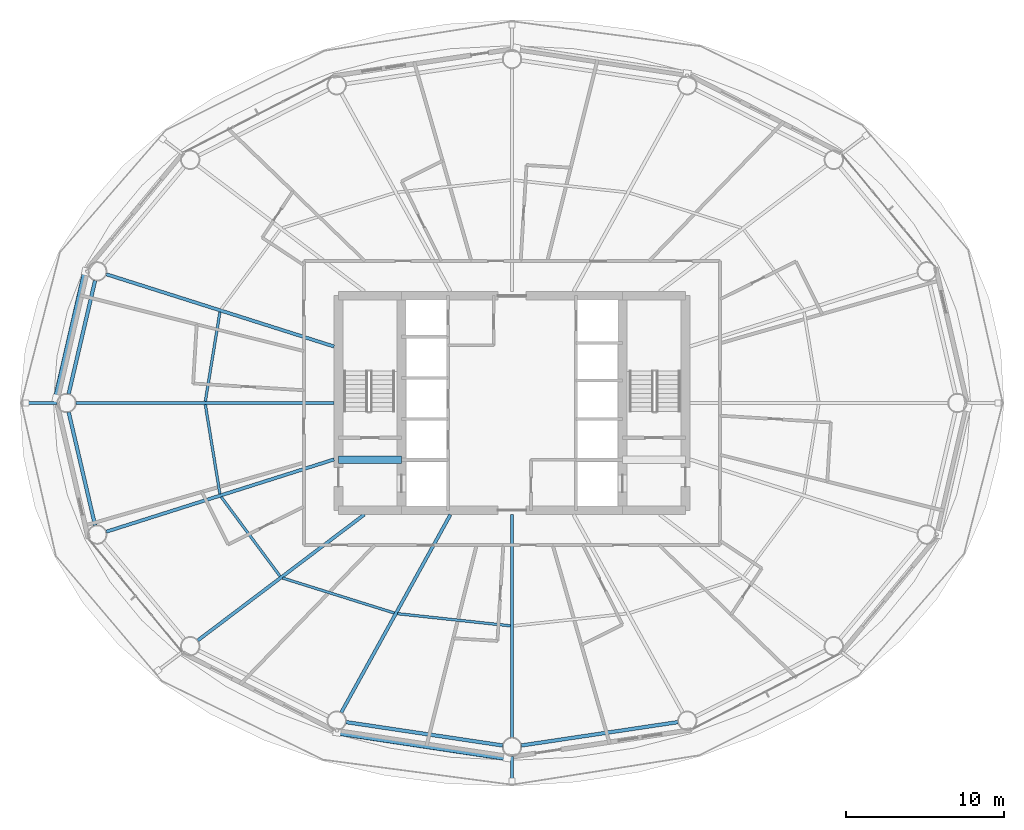
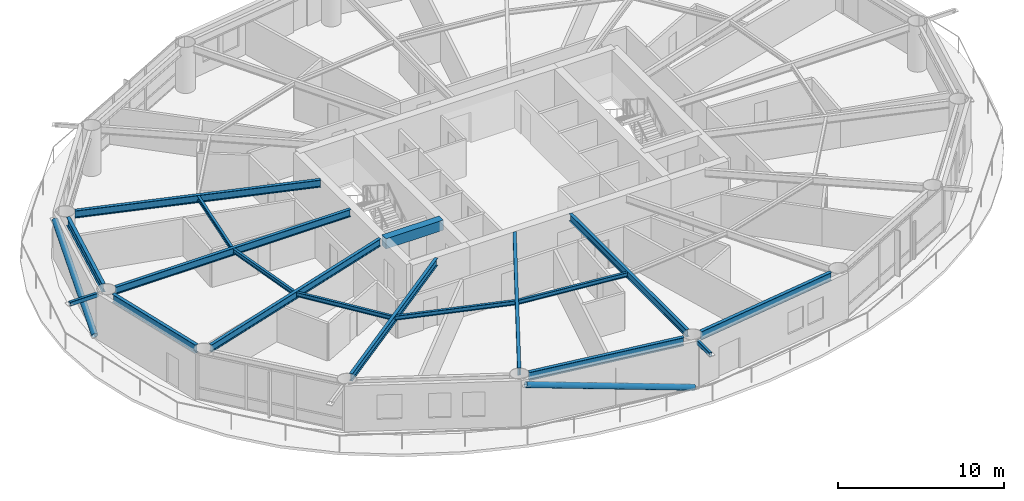
# One storey, part 3 of 24: 16 beams, 4 members.
"""IFC4 building model written with IfcOpenShell, lengths in metres."""

from ifc_helpers import new_model, si_unit, direction, frame, origin, origin_2d, place, context, subcontext, project, spatial, rectangle, hollow_rectangle, hollow_circle, i_section, extrude, material, material_profile, profile_set, type_object, element, save


model = new_model("IFC4")

# Units and contexts
model_context = context("Model", 3, precision=1e-05, world=origin(), true_north=direction((0.0, 1.0)))
body_context = subcontext(model_context, "Body", "Model", "MODEL_VIEW")
ifc_project = project(units=[si_unit("LENGTHUNIT", "METRE"), si_unit("AREAUNIT", "SQUARE_METRE"), si_unit("VOLUMEUNIT", "CUBIC_METRE"), si_unit("PLANEANGLEUNIT", "RADIAN"), si_unit("MASSUNIT", "GRAM", prefix="KILO")], contexts=[model_context])

# Site, building, storey
site_placement = place(None, origin())
site = spatial("IfcSite", under=ifc_project, at=site_placement, CompositionType="ELEMENT")
building_placement = place(site_placement, origin())
building = spatial("IfcBuilding", under=site, at=building_placement, Name="Sarneth Arch Tower", CompositionType="ELEMENT")
storey_placement = place(building_placement, frame((0.0, 0.0, 102.0)))
storey = spatial("IfcBuildingStorey", under=building, at=storey_placement, Name="L25", CompositionType="ELEMENT", Elevation=102.0)

# Beams
ifc_material_1 = material(Name="Steel S355", Category="steel")
ifc_material_profile_1 = material_profile(ifc_material_1, i_section(OverallWidth=0.1669921875, OverallDepth=0.31689453125, WebThickness=0.007568359375, FlangeThickness=0.01318359375, FilletRadius=0.012939453125, at=origin_2d()), Name="W310x52")
ifc_profile_set_1 = profile_set([ifc_material_profile_1], Name="Steel S355")
beam_type_1 = type_object("IfcBeamType", Name="BM-JOIST-310B", PredefinedType="JOIST", material=ifc_profile_set_1)
for number, where, z_axis, x_axis, name in (
    (1, (29.48583984375, 47.76513671875, 3.221435546875), (-0.16118181609, -0.986924729735, 0.0), (0.986924729735, -0.16118181609, 0.0), "L25 Secondary floor joist 08"),
    (2, (28.561279296875, 41.89599609375, 3.221435546875), (0.16118181609, -0.986924729735, 0.0), (0.986924729735, 0.16118181609, 0.0), "L25 Secondary floor joist 09"),
):
    element("IfcBeam", number, at=place(storey_placement, frame(where, z_axis=z_axis, x_axis=x_axis)), inside=storey, type_object=beam_type_1, Name=name, PredefinedType="JOIST", context=body_context, shape_type="SweptSolid", body=[
        extrude(i_section(OverallWidth=0.1669921875, OverallDepth=0.31689453125, WebThickness=0.007568359375, FlangeThickness=0.01318359375, FilletRadius=0.012939453125, at=origin_2d()), origin(), (0.0, 0.0, 1.0), 5.736083984375),
    ])
beam_1_placement = place(storey_placement, frame((29.565673828125, 36.0458984375, 3.221435546875), z_axis=(0.596098474255, -0.802911333206, 0.0), x_axis=(0.802911333206, 0.596098474255, 0.0)))
element("IfcBeam", 3, at=beam_1_placement, inside=storey, type_object=beam_type_1, Name="L25 Secondary floor joist 10", PredefinedType="JOIST", context=body_context, shape_type="SweptSolid", body=[
    extrude(i_section(OverallWidth=0.1669921875, OverallDepth=0.31689453125, WebThickness=0.007568359375, FlangeThickness=0.01318359375, FilletRadius=0.012939453125, at=origin_2d()), origin(), (0.0, 0.0, 1.0), 6.259033203125),
])
beam_2_placement = place(storey_placement, frame((33.460205078125, 30.904296875, 3.221435546875), z_axis=(0.954245982384, -0.299022750146, 0.0), x_axis=(0.299022750146, 0.954245982384, 0.0)))
element("IfcBeam", 4, at=beam_2_placement, inside=storey, type_object=beam_type_1, Name="L25 Secondary floor joist 11", PredefinedType="JOIST", context=body_context, shape_type="SweptSolid", body=[
    extrude(i_section(OverallWidth=0.1669921875, OverallDepth=0.31689453125, WebThickness=0.007568359375, FlangeThickness=0.01318359375, FilletRadius=0.012939453125, at=origin_2d()), origin(), (0.0, 0.0, 1.0), 7.416748046875),
])
beam_3_placement = place(storey_placement, frame((40.7431640625, 28.6435546875, 3.221435546875), z_axis=(0.994257420028, -0.107014871487, 0.0), x_axis=(0.107014871487, 0.994257420028, 0.0)))
element("IfcBeam", 5, at=beam_3_placement, inside=storey, type_object=beam_type_1, Name="L25 Secondary floor joist 12", PredefinedType="JOIST", context=body_context, shape_type="SweptSolid", body=[
    extrude(i_section(OverallWidth=0.1669921875, OverallDepth=0.31689453125, WebThickness=0.007568359375, FlangeThickness=0.01318359375, FilletRadius=0.012939453125, at=origin_2d()), origin(), (0.0, 0.0, 1.0), 7.193115234375),
])
ifc_material_2 = material(Name="Concrete C50/60", Category="concrete")
ifc_material_profile_2 = material_profile(ifc_material_2, rectangle(XDim=0.5, YDim=0.75, at=origin_2d()), Name="RC-500x750")
ifc_profile_set_2 = profile_set([ifc_material_profile_2], Name="Concrete C50/60")
beam_type_2 = type_object("IfcBeamType", Name="BM-LINTEL-RC", PredefinedType="LINTEL", material=ifc_profile_set_2)
beam_4_placement = place(storey_placement, frame((37.0, 38.39990234375, 3.0048828125), z_axis=(1.0, 0.0, 0.0), x_axis=(0.0, 1.0, 0.0)))
element("IfcBeam", 6, at=beam_4_placement, inside=storey, type_object=beam_type_2, Name="L25 Core coupling lintel W", PredefinedType="LINTEL", context=body_context, shape_type="SweptSolid", body=[
    extrude(rectangle(XDim=0.5, YDim=0.75, at=origin_2d()), origin(), (0.0, 0.0, 1.0), 4.0),
])
ifc_material_3 = material(Name="Steel S355", Category="steel")
ifc_material_profile_3 = material_profile(ifc_material_3, i_section(OverallWidth=0.2109375, OverallDepth=0.5390625, WebThickness=0.01171875, FlangeThickness=0.018798828125, FilletRadius=0.01806640625, at=origin_2d()), Name="W530x109")
ifc_profile_set_3 = profile_set([ifc_material_profile_3], Name="Steel S355")
beam_type_3 = type_object("IfcBeamType", Name="BM-RAD-530B", PredefinedType="BEAM", material=ifc_profile_set_3)
beam_5_placement = place(storey_placement, frame((36.72509765625, 45.57763671875, 3.110595703125), z_axis=(-0.953162461637, 0.302458793435, 0.0), x_axis=(-0.302458793435, -0.953162461637, 0.0)))
element("IfcBeam", 7, at=beam_5_placement, inside=storey, type_object=beam_type_3, Name="L25 Radial floor girder 08", PredefinedType="BEAM", context=body_context, shape_type="SweptSolid", body=[
    extrude(i_section(OverallWidth=0.2109375, OverallDepth=0.5390625, WebThickness=0.01171875, FlangeThickness=0.018798828125, FilletRadius=0.01806640625, at=origin_2d()), origin(), (0.0, 0.0, 1.0), 15.154052734375),
])
beam_6_placement = place(storey_placement, frame((36.72509765625, 42.0, 3.110595703125), z_axis=(-1.0, 0.0, 0.0), x_axis=(0.0, -1.0, 0.0)))
element("IfcBeam", 8, at=beam_6_placement, inside=storey, type_object=beam_type_3, Name="L25 Radial floor girder 09", PredefinedType="BEAM", context=body_context, shape_type="SweptSolid", body=[
    extrude(i_section(OverallWidth=0.2109375, OverallDepth=0.5390625, WebThickness=0.01171875, FlangeThickness=0.018798828125, FilletRadius=0.01806640625, at=origin_2d()), origin(), (0.0, 0.0, 1.0), 16.36181640625),
])
beam_7_placement = place(storey_placement, frame((36.72509765625, 38.42236328125, 3.110595703125), z_axis=(-0.953162461637, -0.302458793435, 0.0), x_axis=(0.302458793435, -0.953162461637, 0.0)))
element("IfcBeam", 9, at=beam_7_placement, inside=storey, type_object=beam_type_3, Name="L25 Radial floor girder 10", PredefinedType="BEAM", context=body_context, shape_type="SweptSolid", body=[
    extrude(i_section(OverallWidth=0.2109375, OverallDepth=0.5390625, WebThickness=0.01171875, FlangeThickness=0.018798828125, FilletRadius=0.01806640625, at=origin_2d()), origin(), (0.0, 0.0, 1.0), 15.154052734375),
])
beam_8_placement = place(storey_placement, frame((38.63818359375, 34.925048828125, 3.110595703125), z_axis=(-0.797802835234, -0.602918432371, 0.0), x_axis=(0.602918432371, -0.797802835234, 0.0)))
element("IfcBeam", 10, at=beam_8_placement, inside=storey, type_object=beam_type_3, Name="L25 Radial floor girder 11", PredefinedType="BEAM", context=body_context, shape_type="SweptSolid", body=[
    extrude(i_section(OverallWidth=0.2109375, OverallDepth=0.5390625, WebThickness=0.01171875, FlangeThickness=0.018798828125, FilletRadius=0.01806640625, at=origin_2d()), origin(), (0.0, 0.0, 1.0), 13.232666015625),
])
beam_9_placement = place(storey_placement, frame((44.09716796875, 34.925048828125, 3.110595703125), z_axis=(-0.483021011336, -0.875608761153, 0.0), x_axis=(0.875608761153, -0.483021011336, 0.0)))
element("IfcBeam", 11, at=beam_9_placement, inside=storey, type_object=beam_type_3, Name="L25 Radial floor girder 12", PredefinedType="BEAM", context=body_context, shape_type="SweptSolid", body=[
    extrude(i_section(OverallWidth=0.2109375, OverallDepth=0.5390625, WebThickness=0.01171875, FlangeThickness=0.018798828125, FilletRadius=0.01806640625, at=origin_2d()), origin(), (0.0, 0.0, 1.0), 14.32177734375),
])
beam_10_placement = place(storey_placement, frame((48.0, 34.925048828125, 3.110595703125), z_axis=(0.0, -1.0, 0.0), x_axis=(1.0, 0.0, 0.0)))
element("IfcBeam", 12, at=beam_10_placement, inside=storey, type_object=beam_type_3, Name="L25 Radial floor girder 13", PredefinedType="BEAM", context=body_context, shape_type="SweptSolid", body=[
    extrude(i_section(OverallWidth=0.2109375, OverallDepth=0.5390625, WebThickness=0.01171875, FlangeThickness=0.018798828125, FilletRadius=0.01806640625, at=origin_2d()), origin(), (0.0, 0.0, 1.0), 14.125),
])
ifc_material_4 = material(Name="Steel S355", Category="steel")
ifc_material_profile_4 = material_profile(ifc_material_4, i_section(OverallWidth=0.22900390625, OverallDepth=0.612060546875, WebThickness=0.011962890625, FlangeThickness=0.01953125, FilletRadius=0.01904296875, at=origin_2d()), Name="W610x125")
ifc_profile_set_4 = profile_set([ifc_material_profile_4], Name="Steel S355")
beam_type_4 = type_object("IfcBeamType", Name="BM-SPAN-610C", PredefinedType="SPANDREL", material=ifc_profile_set_4)
for number, where, z_axis, x_axis, name in (
    (13, (21.572509765625, 49.75830078125, 3.073974609375), (-0.227088175252, -0.973874201661, 0.0), (0.973874201661, -0.227088175252, 0.0), "L25 Perimeter spandrel beam 08"),
    (14, (19.899658203125, 41.415771484375, 3.073974609375), (0.227088175252, -0.973874201661, 0.0), (0.973874201661, 0.227088175252, 0.0), "L25 Perimeter spandrel beam 09"),
):
    element("IfcBeam", number, at=place(storey_placement, frame(where, z_axis=z_axis, x_axis=x_axis)), inside=storey, type_object=beam_type_4, Name=name, PredefinedType="SPANDREL", context=body_context, shape_type="SweptSolid", body=[
        extrude(i_section(OverallWidth=0.22900390625, OverallDepth=0.612060546875, WebThickness=0.011962890625, FlangeThickness=0.01953125, FilletRadius=0.01904296875, at=origin_2d()), origin(), (0.0, 0.0, 1.0), 7.366455078125),
    ])
for number, where, z_axis, x_axis, name in (
    (15, (37.483154296875, 21.770751953125, 3.073974609375), (0.989028613319, -0.147724073992, 0.0), (0.147724073992, 0.989028613319, 0.0), "L25 Perimeter spandrel beam 12"),
    (16, (48.593505859375, 20.28857421875, 3.073974609375), (0.989028613319, 0.147724073992, 0.0), (-0.147724073992, 0.989028613319, 0.0), "L25 Perimeter spandrel beam 13"),
):
    element("IfcBeam", number, at=place(storey_placement, frame(where, z_axis=z_axis, x_axis=x_axis)), inside=storey, type_object=beam_type_4, Name=name, PredefinedType="SPANDREL", context=body_context, shape_type="SweptSolid", body=[
        extrude(i_section(OverallWidth=0.22900390625, OverallDepth=0.612060546875, WebThickness=0.011962890625, FlangeThickness=0.01953125, FilletRadius=0.01904296875, at=origin_2d()), origin(), (0.0, 0.0, 1.0), 10.033447265625),
    ])

# Members
ifc_material_5 = material(Name="Steel S355", Category="steel")
ifc_material_profile_5 = material_profile(ifc_material_5, hollow_rectangle(XDim=0.199951171875, YDim=0.300048828125, WallThickness=0.012451171875, InnerFilletRadius=0.018798828125, OuterFilletRadius=0.03125, at=origin_2d()), Name="RHS300x200x12.5")
ifc_profile_set_5 = profile_set([ifc_material_profile_5], Name="Steel S355")
member_type_1 = type_object("IfcMemberType", Name="MEM-CANT-STRUT", PredefinedType="STRUT", material=ifc_profile_set_5)
member_1_placement = place(storey_placement, frame((19.163330078125, 42.0, 3.219970703125), z_axis=(-1.0, 0.0, 0.0), x_axis=(0.0, -1.0, 0.0)))
element("IfcMember", 17, at=member_1_placement, inside=storey, type_object=member_type_1, Name="L25 Balcony cantilever bracket 09", PredefinedType="STRUT", context=body_context, shape_type="SweptSolid", body=[
    extrude(hollow_rectangle(XDim=0.199951171875, YDim=0.300048828125, WallThickness=0.012451171875, InnerFilletRadius=0.018798828125, OuterFilletRadius=0.03125, at=origin_2d()), origin(), (0.0, 0.0, 1.0), 1.979248046875),
])
member_2_placement = place(storey_placement, frame((48.0, 19.60009765625, 3.219970703125), z_axis=(0.0, -1.0, 0.0), x_axis=(1.0, 0.0, 0.0)))
element("IfcMember", 18, at=member_2_placement, inside=storey, type_object=member_type_1, Name="L25 Balcony cantilever bracket 13", PredefinedType="STRUT", context=body_context, shape_type="SweptSolid", body=[
    extrude(hollow_rectangle(XDim=0.199951171875, YDim=0.300048828125, WallThickness=0.012451171875, InnerFilletRadius=0.018798828125, OuterFilletRadius=0.03125, at=origin_2d()), origin(), (0.0, 0.0, 1.0), 1.57080078125),
])
ifc_material_6 = material(Name="Steel S355", Category="steel")
ifc_material_profile_6 = material_profile(ifc_material_6, hollow_circle(Radius=0.202880859375, WallThickness=0.01611328125, at=origin_2d()), Name="CHS406x16")
ifc_profile_set_6 = profile_set([ifc_material_profile_6], Name="Steel S355")
member_type_2 = type_object("IfcMemberType", Name="MEM-DIAG-BR2", PredefinedType="BRACE", material=ifc_profile_set_6)
member_3_placement = place(storey_placement, frame((19.121337890625, 42.292236328125, 0.02001953125), z_axis=(0.211851767223, 0.915872886243, 0.341021531532), x_axis=(-0.974275349464, 0.225360918143, 0.0)))
element("IfcMember", 19, at=member_3_placement, inside=storey, type_object=member_type_2, Name="L25 Perimeter frame diagonal 08", PredefinedType="BRACE", context=body_context, shape_type="SweptSolid", body=[
    extrude(hollow_circle(Radius=0.202880859375, WallThickness=0.01611328125, at=origin_2d()), origin(), (0.0, 0.0, 1.0), 8.775634765625),
])
member_4_placement = place(storey_placement, frame((47.703369140625, 19.5146484375, 0.02001953125), z_axis=(-0.95367294778, 0.14360842494, 0.264356821282), x_axis=(-0.148905755657, -0.988851392239, 0.0)))
element("IfcMember", 20, at=member_4_placement, inside=storey, type_object=member_type_2, Name="L25 Perimeter frame diagonal 12", PredefinedType="BRACE", context=body_context, shape_type="SweptSolid", body=[
    extrude(hollow_circle(Radius=0.202880859375, WallThickness=0.01611328125, at=origin_2d()), origin(), (0.0, 0.0, 1.0), 11.320556640625),
])

save(model, "model.ifc")
